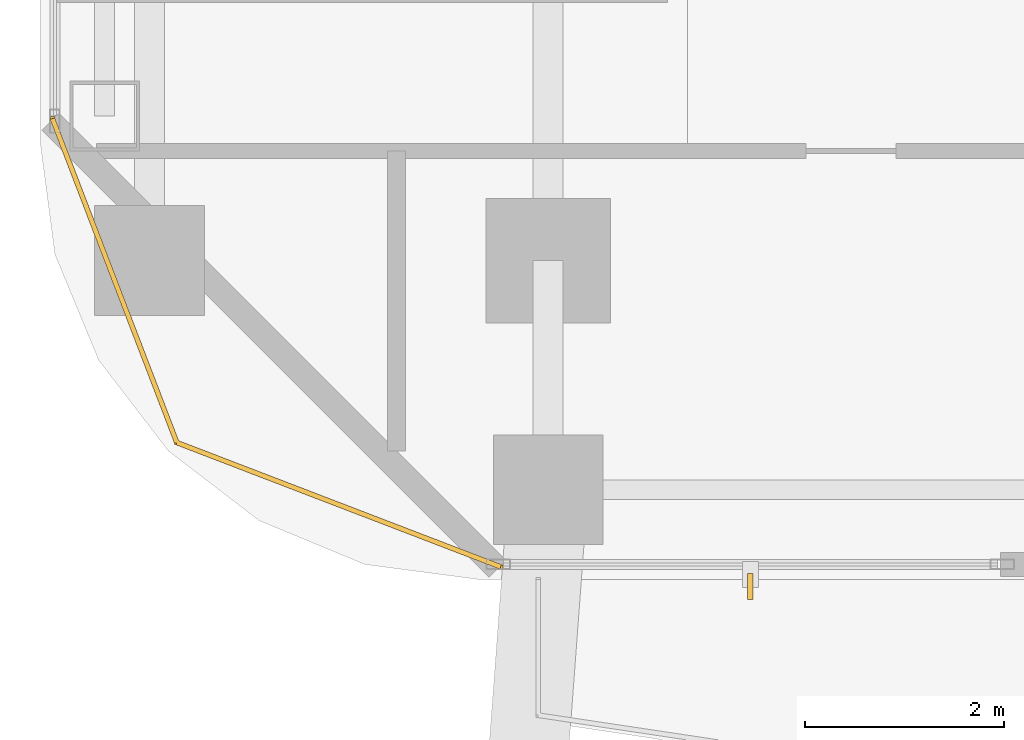
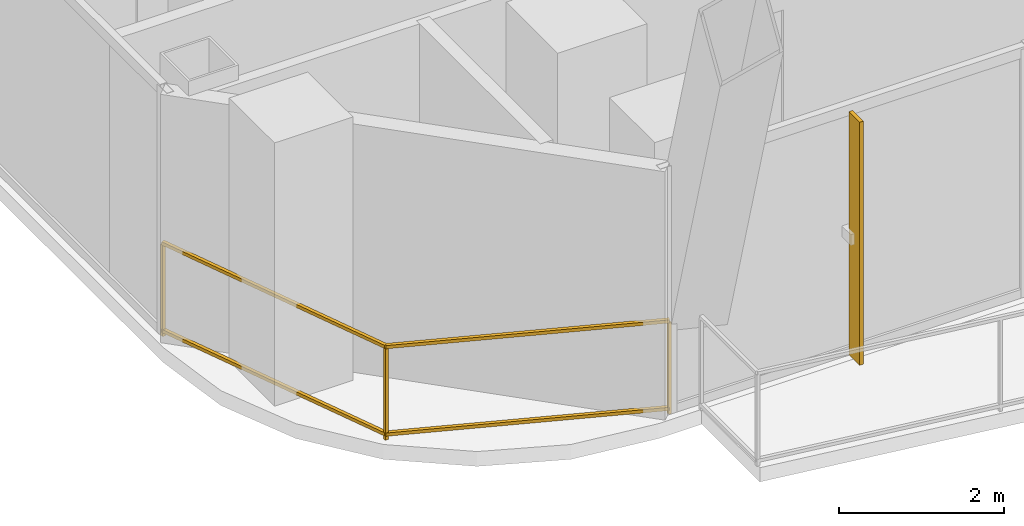
# One storey, part 24 of 30: 1 railing, 1 shading device.
"""IFC4 building model written with IfcOpenShell, lengths in metres."""

from ifc_helpers import new_model, si_unit, direction, frame, origin, origin_2d, place, context, subcontext, project, spatial, rectangle, extrude, material, layer, layer_set, type_object, element, save


model = new_model("IFC4")

# Units and contexts
model_context = context("Model", 3, precision=1e-05, world=origin(), true_north=direction((0.0, 1.0)))
body_context = subcontext(model_context, "Body", "Model", "MODEL_VIEW")
ifc_project = project(units=[si_unit("LENGTHUNIT", "METRE"), si_unit("AREAUNIT", "SQUARE_METRE"), si_unit("VOLUMEUNIT", "CUBIC_METRE"), si_unit("PLANEANGLEUNIT", "RADIAN"), si_unit("MASSUNIT", "GRAM", prefix="KILO")], contexts=[model_context])

# Site, building, storey
site_placement = place(None, origin())
site = spatial("IfcSite", under=ifc_project, at=site_placement, CompositionType="ELEMENT")
building_placement = place(site_placement, origin())
building = spatial("IfcBuilding", under=site, at=building_placement, Name="Khorvyn Point Tower", CompositionType="ELEMENT")
storey_placement = place(building_placement, frame((0.0, 0.0, 117.300048828125)))
storey = spatial("IfcBuildingStorey", under=building, at=storey_placement, Name="L29", CompositionType="ELEMENT", Elevation=117.300048828125)

# Railing
ifc_material_1 = material(Name="Anodised aluminium 6063-T6 and laminated safety glass", Category="aluminium")
railing_type = type_object("IfcRailingType", Name="Laminated Glass and Aluminium Balcony Guardrail 1400", PredefinedType="BALUSTRADE", material=ifc_material_1)
railing_placement = place(storey_placement, frame((-19.774169921875, -13.3759765625, 0.0)))
element("IfcRailing", 1, at=railing_placement, inside=storey, type_object=railing_type, Name="L29 Rounded Corner Edge Guardrail SW", PredefinedType="BALUSTRADE", context=body_context, shape_type="SweptSolid", body=[
    extrude(rectangle(XDim=0.048095703125, YDim=0.048095703125, at=origin_2d()), frame((0.0, 0.0, 1.3759765625), z_axis=(0.358382264808, -0.933574931257, 0.0), x_axis=(0.933574931257, 0.358382264808, 0.0)), (0.0, 0.0, 1.0), 3.481689453125),
    extrude(rectangle(XDim=0.048095703125, YDim=0.048095703125, at=origin_2d()), frame((0.0, 0.0, 0.080078125), z_axis=(0.358382264808, -0.933574931257, 0.0), x_axis=(0.933574931257, 0.358382264808, 0.0)), (0.0, 0.0, 1.0), 3.481689453125),
    extrude(rectangle(XDim=0.048095703125, YDim=0.048095703125, at=origin_2d()), frame((1.247802734375, -3.25048828125, 1.3759765625), z_axis=(0.933598390295, -0.358321148746, 0.0), x_axis=(0.358321148746, 0.933598390295, 0.0)), (0.0, 0.0, 1.0), 3.481689453125),
    extrude(rectangle(XDim=0.048095703125, YDim=0.048095703125, at=origin_2d()), frame((1.247802734375, -3.25048828125, 0.080078125), z_axis=(0.933598390295, -0.358321148746, 0.0), x_axis=(0.358321148746, 0.933598390295, 0.0)), (0.0, 0.0, 1.0), 3.481689453125),
    extrude(rectangle(XDim=0.0419921875, YDim=0.0419921875, at=origin_2d()), origin(), (0.0, 0.0, 1.0), 1.351806640625),
    extrude(rectangle(XDim=0.0419921875, YDim=0.0419921875, at=origin_2d()), frame((1.247802734375, -3.25048828125, 0.0)), (0.0, 0.0, 1.0), 1.351806640625),
    extrude(rectangle(XDim=0.0419921875, YDim=0.0419921875, at=origin_2d()), frame((4.498291015625, -4.498046875, 0.0)), (0.0, 0.0, 1.0), 1.351806640625),
])

# Shading device
ifc_material_2 = material(Name="Pale anodised aluminium 6063-T6", Category="aluminium")
ifc_layer = layer(ifc_material_2, 0.054931640625)
ifc_layer_set = layer_set([ifc_layer], Name="Pale Anodised Aluminium FIN 260x55")
shading_device_type = type_object("IfcShadingDeviceType", Name="Pale Anodised Aluminium FIN 260x55", PredefinedType="USERDEFINED", material=ifc_layer_set)
shading_device_placement = place(storey_placement, frame((-12.7705078125, -18.070068359375, 0.039794921875), z_axis=(0.0, 0.0, 1.0), x_axis=(0.0, -1.0, 0.0)))
element("IfcShadingDevice", 2, at=shading_device_placement, inside=storey, type_object=shading_device_type, Name="L29 Anodised FIN 01", ObjectType="FIN", PredefinedType="USERDEFINED", context=body_context, shape_type="SweptSolid", body=[
    extrude(rectangle(XDim=0.260009765625, YDim=0.054931640625, at=origin_2d()), origin(), (0.0, 0.0, 1.0), 3.60009765625),
])

save(model, "model.ifc")
